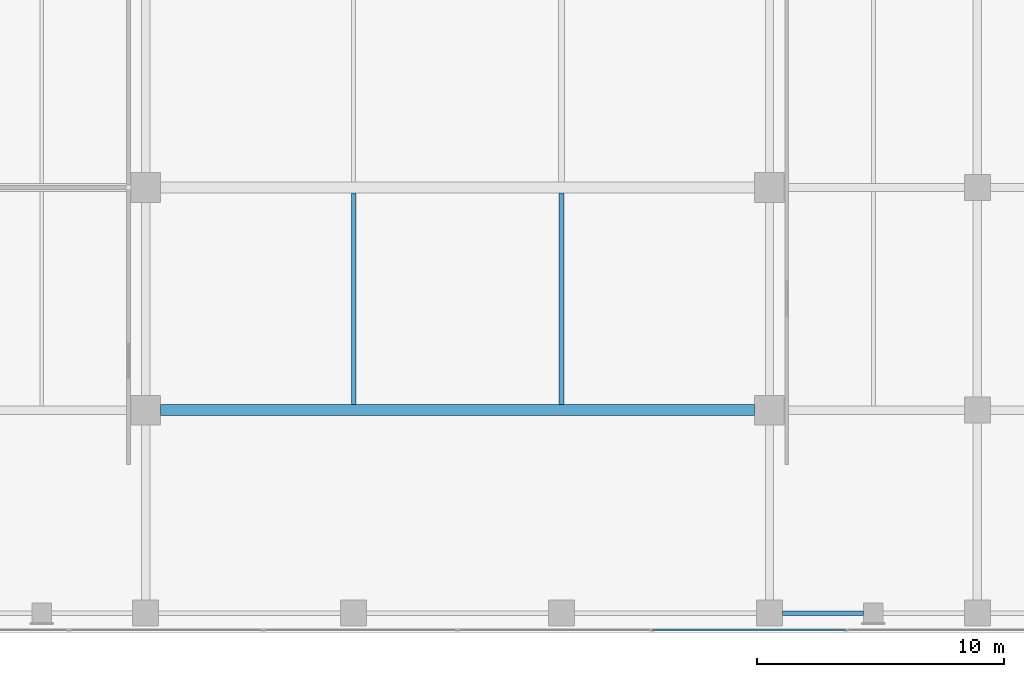
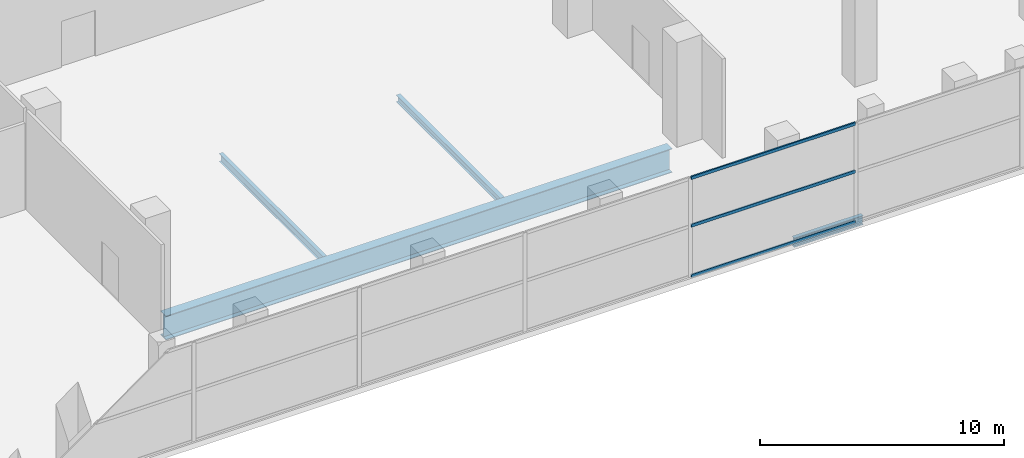
# One storey, part 14 of 40: 4 beams, 3 members, 1 element without a shape of its own.
"""IFC4 building model written with IfcOpenShell, lengths in metres."""

from ifc_helpers import new_model, si_unit, direction, frame, origin, origin_2d, place, context, subcontext, project, spatial, hollow_rectangle, i_section, extrude, material, layer, layer_set, material_profile, profile_set, type_object, element, aggregate, save


model = new_model("IFC4")

# Units and contexts
model_context = context("Model", 3, precision=1e-05, world=origin(), true_north=direction((0.0, 1.0)))
body_context = subcontext(model_context, "Body", "Model", "MODEL_VIEW")
ifc_project = project(units=[si_unit("LENGTHUNIT", "METRE"), si_unit("AREAUNIT", "SQUARE_METRE"), si_unit("VOLUMEUNIT", "CUBIC_METRE"), si_unit("PLANEANGLEUNIT", "RADIAN"), si_unit("MASSUNIT", "GRAM", prefix="KILO")], contexts=[model_context])

# Site, building, storey
site_placement = place(None, origin())
site = spatial("IfcSite", under=ifc_project, at=site_placement, CompositionType="ELEMENT")
building_placement = place(site_placement, origin())
building = spatial("IfcBuilding", under=site, at=building_placement, Name="Maruvema Waterfront Hotel and Observation Tower", CompositionType="ELEMENT")
storey_placement = place(building_placement, frame((0.0, 0.0, 5.60009765625)))
storey = spatial("IfcBuildingStorey", under=building, at=storey_placement, Name="L01", CompositionType="ELEMENT", Elevation=5.60009765625)

# Curtain wall, members
ifc_material_1 = material(Name="Anodised bronze aluminium and solar-control low-E IGU", Category="aluminium")
ifc_layer = layer(ifc_material_1, 0.159912109375, Name="Podium Waterfront Storefront Curtain Wall System CW-01")
ifc_layer_set = layer_set([ifc_layer], Name="Anodised bronze aluminium and solar-control low-E IGU")
curtain_wall_type = type_object("IfcCurtainWallType", Name="Podium Waterfront Storefront Curtain Wall System CW-01", PredefinedType="USERDEFINED", material=ifc_layer_set)
curtain_wall_placement = place(storey_placement, origin())
curtain_wall = element("IfcCurtainWall", 1, at=curtain_wall_placement, inside=storey, type_object=curtain_wall_type, Name="L01 Curtain Wall CW-L01-S", ObjectType="UNITISED CURTAIN WALL", PredefinedType="USERDEFINED")
ifc_material_2 = material(Name="Anodised architectural bronze aluminium", Category="aluminium")
ifc_material_profile_1 = material_profile(ifc_material_2, hollow_rectangle(XDim=0.070068359375, YDim=0.14990234375, WallThickness=0.00390625, at=origin_2d()), Name="ALU-T70x150")
ifc_profile_set_1 = profile_set([ifc_material_profile_1], Name="Anodised architectural bronze aluminium")
member_type = type_object("IfcMemberType", Name="Curtain Wall Horizontal Transom ALU-T70x150", PredefinedType="USERDEFINED", material=ifc_profile_set_1)
member_1_placement = place(storey_placement, frame((45.679931640625, 0.1201171875, 0.02978515625), z_axis=(1.0, 0.0, 0.0), x_axis=(0.0, 1.0, 0.0)))
member_1 = element("IfcMember", 2, at=member_1_placement, type_object=member_type, Name="CW-01 transom 6.1", ObjectType="TRANSOM", PredefinedType="USERDEFINED", context=body_context, shape_type="SweptSolid", body=[
    extrude(hollow_rectangle(XDim=0.070068359375, YDim=0.14990234375, WallThickness=0.00390625, at=origin_2d()), origin(), (0.0, 0.0, 1.0), 7.7900390625),
])
member_2_placement = place(storey_placement, frame((45.679931640625, 0.1201171875, 2.5498046875), z_axis=(1.0, 0.0, 0.0), x_axis=(0.0, 1.0, 0.0)))
member_2 = element("IfcMember", 3, at=member_2_placement, type_object=member_type, Name="CW-01 transom 6.2", ObjectType="TRANSOM", PredefinedType="USERDEFINED", context=body_context, shape_type="SweptSolid", body=[
    extrude(hollow_rectangle(XDim=0.070068359375, YDim=0.14990234375, WallThickness=0.00390625, at=origin_2d()), origin(), (0.0, 0.0, 1.0), 7.7900390625),
])
member_3_placement = place(storey_placement, frame((45.679931640625, 0.1201171875, 4.93994140625), z_axis=(1.0, 0.0, 0.0), x_axis=(0.0, 1.0, 0.0)))
member_3 = element("IfcMember", 4, at=member_3_placement, type_object=member_type, Name="CW-01 transom 6.3", ObjectType="TRANSOM", PredefinedType="USERDEFINED", context=body_context, shape_type="SweptSolid", body=[
    extrude(hollow_rectangle(XDim=0.070068359375, YDim=0.14990234375, WallThickness=0.00390625, at=origin_2d()), origin(), (0.0, 0.0, 1.0), 7.7900390625),
])
aggregate(curtain_wall, [member_1, member_2, member_3])

# Beams
ifc_material_3 = material(Name="Steel ASTM A572 Grade 50", Category="steel")
ifc_material_profile_2 = material_profile(ifc_material_3, i_section(OverallWidth=0.18994140625, OverallDepth=0.45703125, WebThickness=0.009033203125, FlangeThickness=0.014404296875, FilletRadius=0.014892578125, at=origin_2d()), Name="W460x74.0")
ifc_profile_set_2 = profile_set([ifc_material_profile_2], Name="Steel ASTM A572 Grade 50")
beam_type_1 = type_object("IfcBeamType", Name="Perimeter Spandrel Beam W460x74.0", PredefinedType="SPANDREL", material=ifc_profile_set_2)
beam_1_placement = place(storey_placement, frame((50.925048828125, 0.800048828125, -0.508544921875), z_axis=(1.0, 0.0, 0.0), x_axis=(0.0, 1.0, 0.0)))
element("IfcBeam", 5, at=beam_1_placement, inside=storey, type_object=beam_type_1, Name="L01 Floor Girder EW-07", PredefinedType="SPANDREL", context=body_context, shape_type="SweptSolid", body=[
    extrude(i_section(OverallWidth=0.18994140625, OverallDepth=0.45703125, WebThickness=0.009033203125, FlangeThickness=0.014404296875, FilletRadius=0.014892578125, at=origin_2d()), origin(), (0.0, 0.0, 1.0), 3.27490234375),
])
ifc_material_4 = material(Name="Steel ASTM A572 Grade 50", Category="steel")
ifc_material_profile_3 = material_profile(ifc_material_4, i_section(OverallWidth=0.202880859375, OverallDepth=0.346923828125, WebThickness=0.0078125, FlangeThickness=0.013427734375, FilletRadius=0.014892578125, at=origin_2d()), Name="W360x64.0")
ifc_profile_set_3 = profile_set([ifc_material_profile_3], Name="Steel ASTM A572 Grade 50")
beam_type_2 = type_object("IfcBeamType", Name="Secondary Floor Joist W360x64.0", PredefinedType="JOIST", material=ifc_profile_set_3)
beam_2_placement = place(storey_placement, frame((42.0, 9.22509765625, -0.45361328125), z_axis=(0.0, 1.0, 0.0), x_axis=(-1.0, 0.0, 0.0)))
element("IfcBeam", 6, at=beam_2_placement, inside=storey, type_object=beam_type_2, Name="L01 Secondary Floor Joist JS-10", PredefinedType="JOIST", context=body_context, shape_type="SweptSolid", body=[
    extrude(i_section(OverallWidth=0.202880859375, OverallDepth=0.346923828125, WebThickness=0.0078125, FlangeThickness=0.013427734375, FilletRadius=0.014892578125, at=origin_2d()), origin(), (0.0, 0.0, 1.0), 8.5498046875),
])
ifc_material_5 = material(Name="Steel ASTM A572 Grade 50", Category="steel")
ifc_material_profile_4 = material_profile(ifc_material_5, i_section(OverallWidth=0.177001953125, OverallDepth=0.403076171875, WebThickness=0.007568359375, FlangeThickness=0.010986328125, FilletRadius=0.014892578125, at=origin_2d()), Name="W410x53.0")
ifc_profile_set_4 = profile_set([ifc_material_profile_4], Name="Steel ASTM A572 Grade 50")
beam_type_3 = type_object("IfcBeamType", Name="Secondary Floor Joist W410x53.0", PredefinedType="JOIST", material=ifc_profile_set_4)
beam_3_placement = place(storey_placement, frame((33.60009765625, 9.22509765625, -0.481689453125), z_axis=(0.0, 1.0, 0.0), x_axis=(-1.0, 0.0, 0.0)))
element("IfcBeam", 7, at=beam_3_placement, inside=storey, type_object=beam_type_3, Name="L01 Secondary Floor Joist JS-09", PredefinedType="JOIST", context=body_context, shape_type="SweptSolid", body=[
    extrude(i_section(OverallWidth=0.177001953125, OverallDepth=0.403076171875, WebThickness=0.007568359375, FlangeThickness=0.010986328125, FilletRadius=0.014892578125, at=origin_2d()), origin(), (0.0, 0.0, 1.0), 8.5498046875),
])
ifc_material_6 = material(Name="Steel ABNT NBR 7007 AR 415 (ASTM A572 Grade 50)", Category="steel")
ifc_material_profile_5 = material_profile(ifc_material_6, i_section(OverallWidth=0.449951171875, OverallDepth=1.199951171875, WebThickness=0.01904296875, FlangeThickness=0.031982421875, at=origin_2d()), Name="VS1200x366")
ifc_profile_set_5 = profile_set([ifc_material_profile_5], Name="Steel ABNT NBR 7007 AR 415 (ASTM A572 Grade 50)")
beam_type_4 = type_object("IfcBeamType", Name="Upper Setback Transfer Girder VS1200x366", PredefinedType="USERDEFINED", material=ifc_profile_set_5)
beam_4_placement = place(storey_placement, frame((25.800048828125, 9.0, -0.880126953125), z_axis=(1.0, 0.0, 0.0), x_axis=(0.0, 1.0, 0.0)))
element("IfcBeam", 8, at=beam_4_placement, inside=storey, type_object=beam_type_4, Name="L01 Floor Girder EW-12", ObjectType="TRANSFER GIRDER", PredefinedType="USERDEFINED", context=body_context, shape_type="SweptSolid", body=[
    extrude(i_section(OverallWidth=0.449951171875, OverallDepth=1.199951171875, WebThickness=0.01904296875, FlangeThickness=0.031982421875, at=origin_2d()), origin(), (0.0, 0.0, 1.0), 24.0),
])

save(model, "model.ifc")
